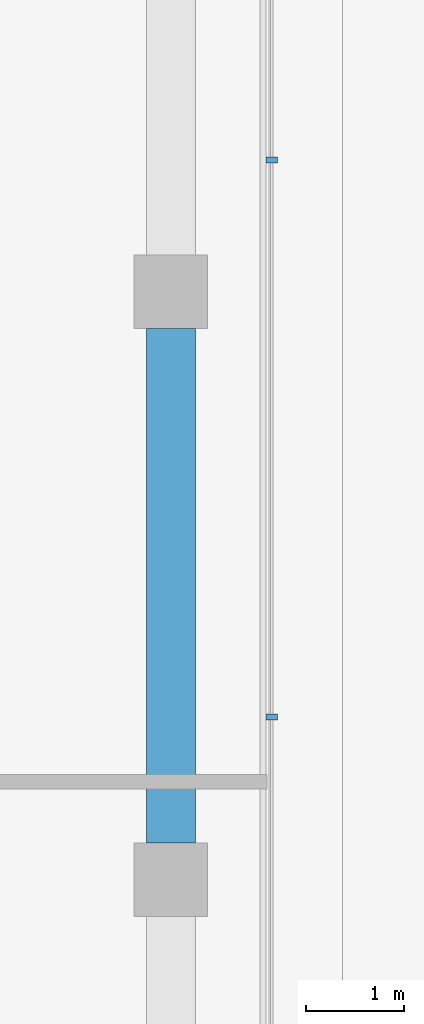
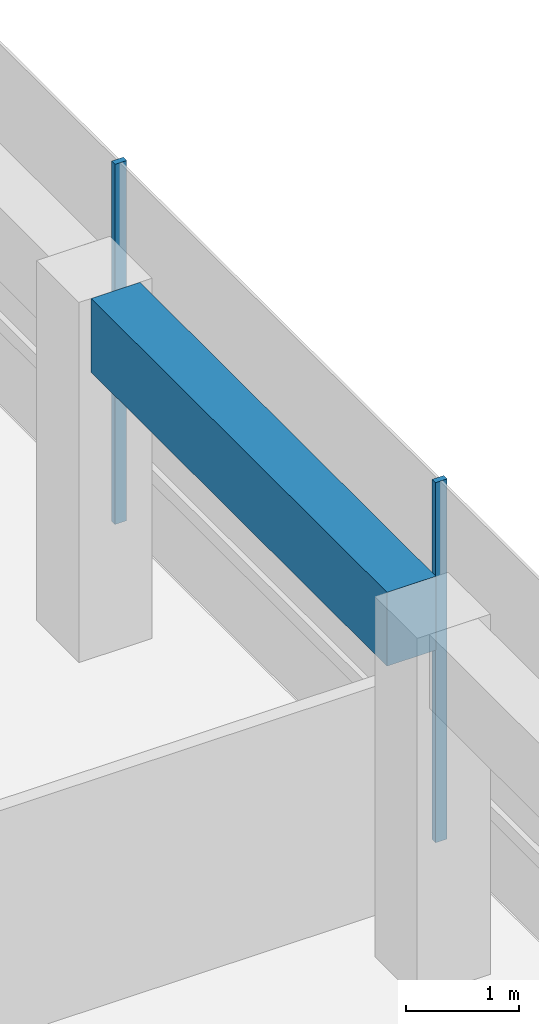
# One storey, part 15 of 22: 2 members, 1 beam, 1 element without a shape of its own.
"""IFC4 building model written with IfcOpenShell, lengths in metres."""

from ifc_helpers import new_model, si_unit, direction, frame, origin, origin_2d, place, context, subcontext, project, spatial, rectangle, extrude, material, layer, layer_set, material_profile, profile_set, type_object, element, aggregate, save


model = new_model("IFC4")

# Units and contexts
model_context = context("Model", 3, precision=1e-05, world=origin(), true_north=direction((0.0, 1.0)))
body_context = subcontext(model_context, "Body", "Model", "MODEL_VIEW")
ifc_project = project(units=[si_unit("LENGTHUNIT", "METRE"), si_unit("AREAUNIT", "SQUARE_METRE"), si_unit("VOLUMEUNIT", "CUBIC_METRE"), si_unit("PLANEANGLEUNIT", "RADIAN"), si_unit("MASSUNIT", "GRAM", prefix="KILO")], contexts=[model_context])

# Site, building, storey
site_placement = place(None, origin())
site = spatial("IfcSite", under=ifc_project, at=site_placement, CompositionType="ELEMENT")
building_placement = place(site_placement, origin())
building = spatial("IfcBuilding", under=site, at=building_placement, Name="Welwitschia Terrace Campus", CompositionType="ELEMENT")
storey_placement = place(building_placement, frame((0.0, 0.0, 310.39990234375)))
storey = spatial("IfcBuildingStorey", under=building, at=storey_placement, Name="L69", CompositionType="ELEMENT", Elevation=310.39990234375)

# Curtain wall, members
ifc_material_1 = material(Name="Bronze anodised aluminium", Category="aluminium")
ifc_layer = layer(ifc_material_1, 0.1201171875)
ifc_layer_set = layer_set([ifc_layer], Name="Bronze anodised aluminium")
curtain_wall_type = type_object("IfcCurtainWallType", Name="Curtain wall CW2 tower 6000", PredefinedType="NOTDEFINED", material=ifc_layer_set)
curtain_wall_placement = place(storey_placement, origin())
curtain_wall = element("IfcCurtainWall", 1, at=curtain_wall_placement, inside=storey, type_object=curtain_wall_type, Name="CW L69.7.0", PredefinedType="NOTDEFINED")
ifc_material_2 = material(Name="Bronze anodised aluminium", Category="aluminium")
ifc_material_profile_1 = material_profile(ifc_material_2, rectangle(XDim=0.1201171875, YDim=0.06005859375, at=origin_2d()))
ifc_profile_set_1 = profile_set([ifc_material_profile_1], Name="Bronze anodised aluminium")
member_type = type_object("IfcMemberType", Name="Mullion 60x120", PredefinedType="MULLION", material=ifc_profile_set_1)
member_1_placement = place(storey_placement, frame((25.030029296875, 51.65966796875, 0.0), z_axis=(0.0, 0.0, 1.0), x_axis=(-1.0, 0.0, 0.0)))
member_1 = element("IfcMember", 2, at=member_1_placement, type_object=member_type, Name="Mullion L69.7.0.4", PredefinedType="MULLION", context=body_context, shape_type="SweptSolid", body=[
    extrude(rectangle(XDim=0.1201171875, YDim=0.06005859375, at=origin_2d()), origin(), (0.0, 0.0, 1.0), 3.900146484375),
])
member_2_placement = place(storey_placement, frame((25.030029296875, 57.344970703125, 0.0), z_axis=(0.0, 0.0, 1.0), x_axis=(-1.0, 0.0, 0.0)))
member_2 = element("IfcMember", 3, at=member_2_placement, type_object=member_type, Name="Mullion L69.7.0.5", PredefinedType="MULLION", context=body_context, shape_type="SweptSolid", body=[
    extrude(rectangle(XDim=0.1201171875, YDim=0.06005859375, at=origin_2d()), origin(), (0.0, 0.0, 1.0), 3.900146484375),
])
aggregate(curtain_wall, [member_1, member_2])

# Beam
ifc_material_3 = material(Name="Concrete C50/60", Category="concrete")
ifc_material_profile_2 = material_profile(ifc_material_3, rectangle(XDim=0.5, YDim=0.800048828125, at=origin_2d()))
ifc_profile_set_2 = profile_set([ifc_material_profile_2], Name="Concrete C50/60")
beam_type = type_object("IfcBeamType", Name="Ring spandrel 500x800", PredefinedType="SPANDREL", material=ifc_profile_set_2)
beam_placement = place(storey_placement, frame((24.0, 50.37548828125, 3.5), z_axis=(0.0, 1.0, 0.0), x_axis=(-1.0, 0.0, 0.0)))
element("IfcBeam", 4, at=beam_placement, inside=storey, type_object=beam_type, Name="Spandrel SP4", PredefinedType="SPANDREL", context=body_context, shape_type="SweptSolid", body=[
    extrude(rectangle(XDim=0.5, YDim=0.800048828125, at=origin_2d()), origin(), (0.0, 0.0, 1.0), 5.2490234375),
])

save(model, "model.ifc")
